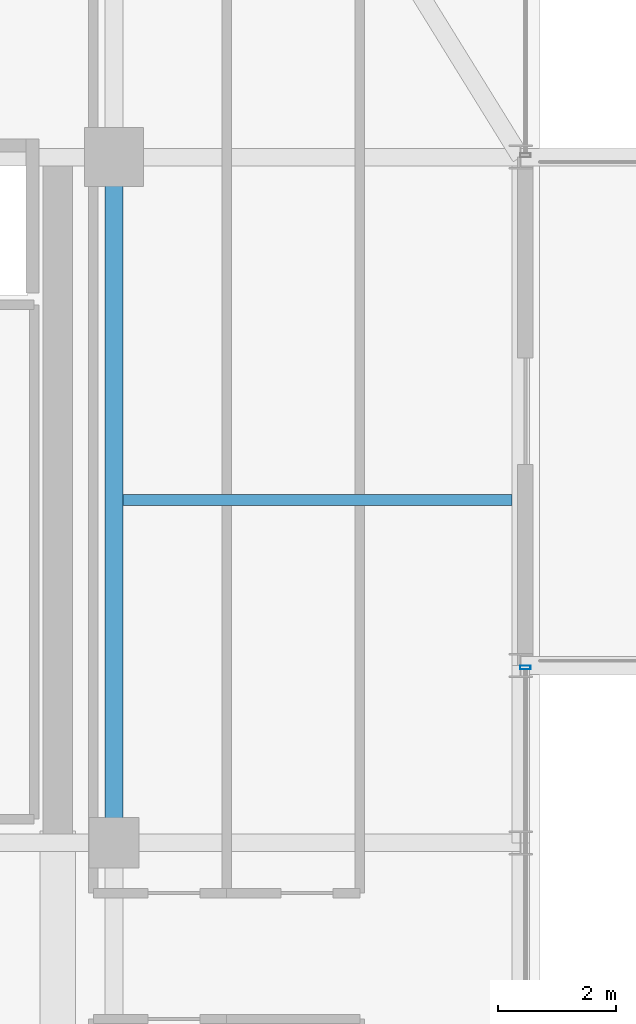
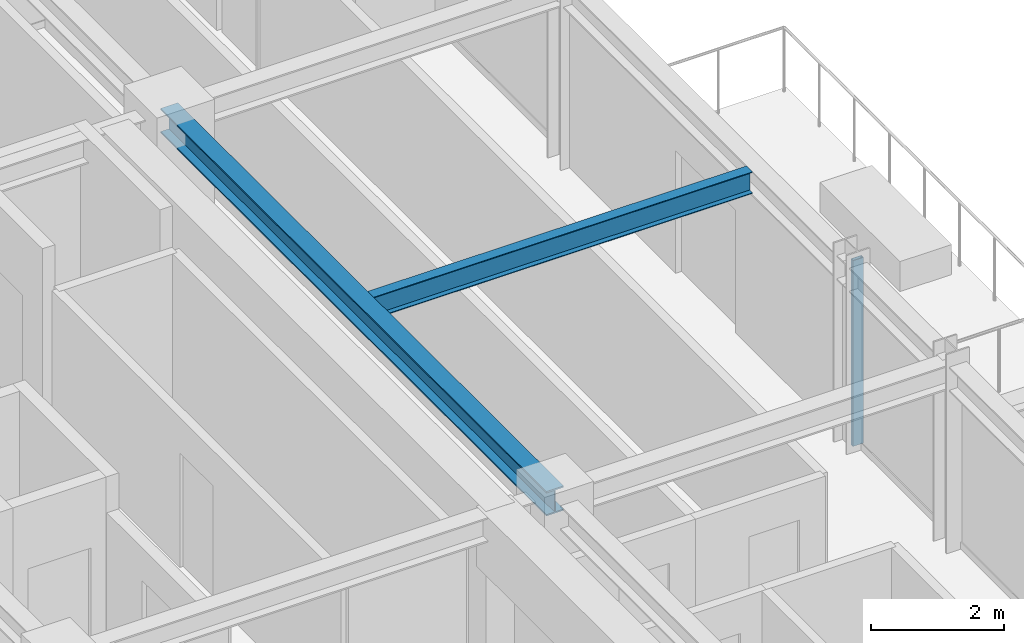
# One storey, part 23 of 34: 2 beams, 1 member, 1 element without a shape of its own.
"""IFC4 building model written with IfcOpenShell, lengths in metres."""

from ifc_helpers import new_model, si_unit, direction, frame, origin, origin_2d, place, context, subcontext, project, spatial, hollow_rectangle, i_section, extrude, source, transform, mapped, material, material_profile, profile_set, type_object, element, aggregate, save


model = new_model("IFC4")

# Units and contexts
model_context = context("Model", 3, precision=1e-05, world=origin(), true_north=direction((0.0, 1.0)))
body_context = subcontext(model_context, "Body", "Model", "MODEL_VIEW")
ifc_project = project(units=[si_unit("LENGTHUNIT", "METRE"), si_unit("AREAUNIT", "SQUARE_METRE"), si_unit("VOLUMEUNIT", "CUBIC_METRE"), si_unit("PLANEANGLEUNIT", "RADIAN"), si_unit("MASSUNIT", "GRAM", prefix="KILO")], contexts=[model_context])

# Site, building, storey
site_placement = place(None, origin())
site = spatial("IfcSite", under=ifc_project, at=site_placement, CompositionType="ELEMENT")
building_placement = place(site_placement, origin())
building = spatial("IfcBuilding", under=site, at=building_placement, Name="Nahalor Promenade Grand Hotel", CompositionType="ELEMENT")
storey_placement = place(building_placement, frame((0.0, 0.0, 238.199951171875)))
storey = spatial("IfcBuildingStorey", under=building, at=storey_placement, Name="L61", CompositionType="ELEMENT", Elevation=238.199951171875)

# Beams
ifc_material_1 = material(Name="Steel S355JR", Category="steel")
ifc_material_profile_1 = material_profile(ifc_material_1, i_section(OverallWidth=0.3, OverallDepth=0.45, WebThickness=0.014, FlangeThickness=0.026, at=origin_2d()), Name="HEB 450")
ifc_profile_set_1 = profile_set([ifc_material_profile_1], Name="Steel S355JR")
beam_type_1 = type_object("IfcBeamType", Name="Beam-Girder-HEB450", PredefinedType="BEAM", material=ifc_profile_set_1)
shared_shape_1 = source(origin(), body_context, "Body", "SweptSolid", [
    extrude(i_section(OverallWidth=0.3, OverallDepth=0.45, WebThickness=0.014, FlangeThickness=0.026, at=origin_2d()), origin(), (0.0, 0.0, 1.0), 11.60009765625),
])
beam_1_placement = place(storey_placement, frame((17.0, 5.39990234375, 3.18505859375), z_axis=(0.0, 1.0, 0.0), x_axis=(-1.0, 0.0, 0.0)))
element("IfcBeam", 1, at=beam_1_placement, inside=storey, type_object=beam_type_1, Name="BM-L61-GY-5-3", PredefinedType="BEAM", context=body_context, shape_type="MappedRepresentation", body=[
    mapped(shared_shape_1, transform((0.0, 0.0, 0.0), scale=1.0)),
])
ifc_material_profile_2 = material_profile(ifc_material_1, i_section(OverallWidth=0.18, OverallDepth=0.4, WebThickness=0.0086, FlangeThickness=0.0135, at=origin_2d()), Name="IPE 400")
ifc_profile_set_2 = profile_set([ifc_material_profile_2], Name="Steel S355JR")
beam_type_2 = type_object("IfcBeamType", Name="Beam-Joist-IPE400", PredefinedType="JOIST", material=ifc_profile_set_2)
shared_shape_2 = source(origin(), body_context, "Body", "SweptSolid", [
    extrude(i_section(OverallWidth=0.18, OverallDepth=0.4, WebThickness=0.0086, FlangeThickness=0.0135, at=origin_2d()), origin(), (0.0, 0.0, 1.0), 6.580078125),
])
beam_2_placement = place(storey_placement, frame((17.14990234375, 11.199951171875, 3.2099609375), z_axis=(1.0, 0.0, 0.0), x_axis=(0.0, 1.0, 0.0)))
element("IfcBeam", 2, at=beam_2_placement, inside=storey, type_object=beam_type_2, Name="BM-L61-JSE-1-2", PredefinedType="JOIST", context=body_context, shape_type="MappedRepresentation", body=[
    mapped(shared_shape_2, transform((0.0, 0.0, 0.0), scale=1.0)),
])

# Curtain wall, member
ifc_material_2 = material(Name="Anodised Bronze Aluminium EN AW-6063 T6", Category="aluminium")
curtain_wall_type = type_object("IfcCurtainWallType", Name="CW2 Typical Hotel Flush Bronze Unitised Curtain Wall", PredefinedType="USERDEFINED", material=ifc_material_2)
curtain_wall_placement = place(storey_placement, origin())
curtain_wall = element("IfcCurtainWall", 3, at=curtain_wall_placement, inside=storey, type_object=curtain_wall_type, Name="L61 Curtain Wall CW-L61-E-1", ObjectType="UNITISED_CURTAIN_WALL", PredefinedType="USERDEFINED")
ifc_material_profile_3 = material_profile(ifc_material_2, hollow_rectangle(XDim=0.065, YDim=0.18, WallThickness=0.004, at=origin_2d()), Name="CWM 65x180x4")
ifc_profile_set_3 = profile_set([ifc_material_profile_3], Name="Anodised Bronze Aluminium EN AW-6063 T6")
member_type = type_object("IfcMemberType", Name="CWM2 Typical Bronze Mullion 65x180", PredefinedType="MULLION", material=ifc_profile_set_3)
shared_shape_3 = source(origin(), body_context, "Body", "SweptSolid", [
    extrude(hollow_rectangle(XDim=0.065, YDim=0.18, WallThickness=0.004, at=origin_2d()), origin(), (0.0, 0.0, 1.0), 3.41015625),
])
member_placement = place(storey_placement, frame((23.9599609375, 8.367431640625, 0.0), z_axis=(0.0, 0.0, 1.0), x_axis=(0.0, 1.0, 0.0)))
member = element("IfcMember", 4, at=member_placement, type_object=member_type, Name="CW-L61-E-1 Mullion 3", PredefinedType="MULLION", context=body_context, shape_type="MappedRepresentation", body=[
    mapped(shared_shape_3, transform((0.0, 0.0, 0.0), scale=1.0)),
])
aggregate(curtain_wall, [member])

save(model, "model.ifc")
